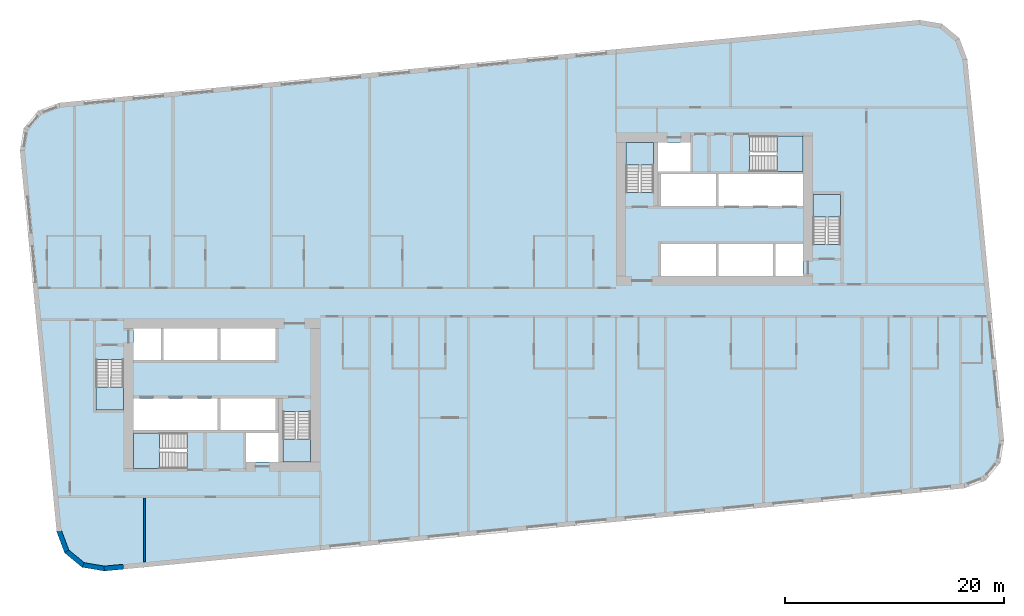
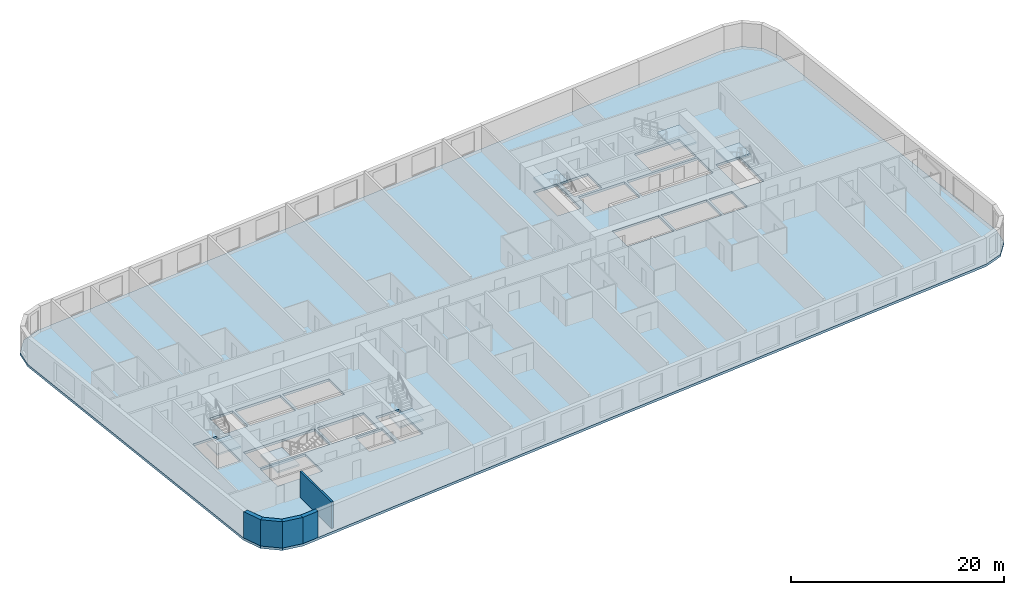
# One storey, part 1 of 12: 7 slabs, 5 walls, 6 elements without a shape of their own.
"""IFC4 building model written with IfcOpenShell, lengths in metres."""

import ifcopenshell
import ifcopenshell.guid

model = None  # the IFC model being written
_history = None  # IfcOwnerHistory: only IFC2X3 demands one
_inside = {}  # id of a spatial element -> (the spatial element, [elements in it])
_under = {}  # id of a project, library or spatial element -> (it, [spatial elements below it])
_declared = {}  # id of a project -> (the project, [libraries it declares])
_typed = {}  # id of a type object -> (the type object, [elements of that type])
_made_of = {}  # id of a material, layer set ... -> (it, [elements and type objects made of it])


def new_model(schema):
    """Start an empty IFC model of exactly this schema.

    Asked for "IFC4X3", IfcOpenShell would pick the latest addendum, in which some entities
    have other attributes; the version numbers below select the first issue.
    IFC2X3 requires an IfcOwnerHistory on every rooted entity: one is made here for all.
    """
    global model, _history
    if schema == "IFC4X3":
        model = ifcopenshell.file(schema_version=(4, 3, 0, 0))
    else:
        model = ifcopenshell.file(schema=schema)
    _inside.clear()
    _under.clear()
    _declared.clear()
    _typed.clear()
    _made_of.clear()
    _history = None
    if model.schema == "IFC2X3":
        org = make("IfcOrganization", Name="unknown")
        user = make(
            "IfcPersonAndOrganization",
            ThePerson=make("IfcPerson", FamilyName="unknown"),
            TheOrganization=org,
        )
        app = make(
            "IfcApplication",
            ApplicationDeveloper=org,
            Version="unknown",
            ApplicationFullName="unknown",
            ApplicationIdentifier="unknown",
        )
        _history = make(
            "IfcOwnerHistory",
            OwningUser=user,
            OwningApplication=app,
            ChangeAction="ADDED",
            CreationDate=0,
        )
    return model


def make(cls, **values):
    """One entity of the class cls with the attributes given. An attribute that is None is left unset."""
    return model.create_entity(
        cls, **{name: value for name, value in values.items() if value is not None}
    )


def rooted(cls, **values):
    """An entity with a GlobalId (a new one), such as an element, a storey or a relation."""
    return make(cls, GlobalId=ifcopenshell.guid.new(), OwnerHistory=_history, **values)


def si_unit(unit_type, name, prefix=None):
    """IfcSIUnit, for example si_unit("LENGTHUNIT", "METRE", prefix="MILLI")."""
    return make("IfcSIUnit", UnitType=unit_type, Prefix=prefix, Name=name)


def assignment(units):
    """IfcUnitAssignment: the units of a project."""
    return None if units is None else make("IfcUnitAssignment", Units=units)


def point(xyz):
    """IfcCartesianPoint."""
    return None if xyz is None else make("IfcCartesianPoint", Coordinates=xyz)


def direction(xyz):
    """IfcDirection."""
    return None if xyz is None else make("IfcDirection", DirectionRatios=xyz)


def frame(location, z_axis=None, x_axis=None):
    """IfcAxis2Placement3D, a coordinate frame: its origin and axes. An axis left out is left unset."""
    return make(
        "IfcAxis2Placement3D",
        Location=point(location),
        Axis=direction(z_axis),
        RefDirection=direction(x_axis),
    )


def frame_2d(location, x_axis=None):
    """IfcAxis2Placement2D, a coordinate frame in the plane: its origin and x axis."""
    return make(
        "IfcAxis2Placement2D", Location=point(location), RefDirection=direction(x_axis)
    )


def origin():
    """The frame at (0, 0, 0) with its axes left unset."""
    return frame((0.0, 0.0, 0.0))


def place(relative_to, where):
    """IfcLocalPlacement: puts the frame where relative to a parent placement (None: the world)."""
    return make(
        "IfcLocalPlacement", PlacementRelTo=relative_to, RelativePlacement=where
    )


def context(
    kind, dimensions, precision=None, world=None, true_north=None, identifier=None
):
    """IfcGeometricRepresentationContext, for example the 3D "Model" context."""
    return make(
        "IfcGeometricRepresentationContext",
        ContextIdentifier=identifier,
        ContextType=kind,
        CoordinateSpaceDimension=dimensions,
        Precision=precision,
        WorldCoordinateSystem=world,
        TrueNorth=true_north,
    )


def subcontext(parent, identifier, kind, view, scale=None):
    """IfcGeometricRepresentationSubContext, for example "Body" below "Model"."""
    return make(
        "IfcGeometricRepresentationSubContext",
        ContextIdentifier=identifier,
        ContextType=kind,
        ParentContext=parent,
        TargetScale=scale,
        TargetView=view,
    )


def project(units=None, contexts=None):
    """IfcProject with its units and contexts."""
    return rooted(
        "IfcProject",
        Name="project",
        RepresentationContexts=contexts,
        UnitsInContext=assignment(units),
    )


def spatial(cls, under=None, at=None, **own):
    """A site, building, storey or space (cls), placed at a placement, below another one or the project."""
    s = rooted(cls, ObjectPlacement=at, **own)
    if under is not None:
        _under.setdefault(under.id(), (under, []))[1].append(s)
    return s


def polyline(points):
    """IfcPolyline through the points."""
    return make("IfcPolyline", Points=[point(p) for p in points])


def profile(cls, at=None, kind="AREA", **sizes):
    """A parametric profile (cls). Its sizes go by their IFC names, for example OverallWidth=200.0."""
    return make(cls, ProfileType=kind, Position=at, **sizes)


def rectangle(**sizes):
    """IfcRectangleProfileDef."""
    return profile("IfcRectangleProfileDef", **sizes)


def outline(outer, holes=None, kind="AREA"):
    """IfcArbitraryClosedProfileDef: a profile drawn as a closed curve; with holes, ...WithVoids."""
    if holes is None:
        return make("IfcArbitraryClosedProfileDef", ProfileType=kind, OuterCurve=outer)
    return make(
        "IfcArbitraryProfileDefWithVoids",
        ProfileType=kind,
        OuterCurve=outer,
        InnerCurves=holes,
    )


def extrude(swept, where, along, depth):
    """IfcExtrudedAreaSolid: the profile swept, set in the frame where, extruded along a direction by depth."""
    return make(
        "IfcExtrudedAreaSolid",
        SweptArea=swept,
        Position=where,
        ExtrudedDirection=direction(along),
        Depth=depth,
    )


def shape(context_of_items, identifier, shape_type, items):
    """IfcShapeRepresentation: the items that make up one representation, for example the "Body"."""
    return make(
        "IfcShapeRepresentation",
        ContextOfItems=context_of_items,
        RepresentationIdentifier=identifier,
        RepresentationType=shape_type,
        Items=items,
    )


def material(Name=None, Category=None):
    """IfcMaterial."""
    return make("IfcMaterial", Name=Name, Category=Category)


def layer(
    of_material, thickness, ventilated=None, Name=None, Category=None, Priority=None
):
    """IfcMaterialLayer: one layer of a wall or slab, of a material (None: an air gap)."""
    return make(
        "IfcMaterialLayer",
        Material=of_material,
        LayerThickness=thickness,
        IsVentilated=ventilated,
        Name=Name,
        Category=Category,
        Priority=Priority,
    )


def layer_set(layers, Name=None):
    """IfcMaterialLayerSet."""
    return make("IfcMaterialLayerSet", MaterialLayers=layers, LayerSetName=Name)


def made_of(thing, what):
    """Note that an element or type object is made of a material, layer set ...; save() writes the relation."""
    if what is not None:
        _made_of.setdefault(what.id(), (what, []))[1].append(thing)
    return thing


def type_object(cls, material=None, **own):
    """A type object (cls), such as IfcWallType, which elements share."""
    return made_of(rooted(cls, **own), material)


def element(
    cls,
    number,
    at=None,
    inside=None,
    cuts=None,
    type_object=None,
    material=None,
    context=None,
    identifier="Body",
    shape_type=None,
    held_by="IfcProductDefinitionShape",
    body=None,
    shapes=None,
    **own,
):
    """One element of the class cls, such as IfcWall. Its Tag is "e" and its number.

    at: its placement. inside: the storey or other place that contains it. cuts: it is an
    opening in that element (IfcRelVoidsElement). A single representation is given by context,
    identifier, shape_type and body (its items); several are given by shapes. held_by: the class
    of the entity that holds the representations. save() writes the other relations.
    """
    e = rooted(cls, Tag="e%d" % number, ObjectPlacement=at, **own)
    if body is not None:
        shapes = [shape(context, identifier, shape_type, body)]
    if shapes is not None:
        e.Representation = make(held_by, Representations=shapes)
    if inside is not None:
        _inside.setdefault(inside.id(), (inside, []))[1].append(e)
    if cuts is not None:
        rooted(
            "IfcRelVoidsElement", RelatingBuildingElement=cuts, RelatedOpeningElement=e
        )
    if type_object is not None:
        _typed.setdefault(type_object.id(), (type_object, []))[1].append(e)
    return made_of(e, material)


def aggregate(whole, parts):
    """IfcRelAggregates: a whole, such as a stair, and the parts it consists of."""
    return rooted("IfcRelAggregates", RelatingObject=whole, RelatedObjects=parts)


def save(model, path):
    """Write the relations noted so far, then the file.

    IfcRelAggregates (storeys below a building ...), IfcRelContainedInSpatialStructure (elements
    in a storey), IfcRelDefinesByType, IfcRelAssociatesMaterial and IfcRelDeclares: one each for
    every whole, place, type object, material and project.
    """
    for whole, parts in _under.values():
        aggregate(whole, parts)
    for where, things in _inside.values():
        rooted(
            "IfcRelContainedInSpatialStructure",
            RelatedElements=things,
            RelatingStructure=where,
        )
    for kind, things in _typed.values():
        rooted("IfcRelDefinesByType", RelatedObjects=things, RelatingType=kind)
    for what, things in _made_of.values():
        rooted("IfcRelAssociatesMaterial", RelatedObjects=things, RelatingMaterial=what)
    for by, libraries in _declared.values():
        rooted("IfcRelDeclares", RelatingContext=by, RelatedDefinitions=libraries)
    model.write(path)


model = new_model("IFC4")

# Units and contexts
model_context = context("Model", 3, precision=1e-05, world=origin(), true_north=direction((0.0, 1.0)))
body_context = subcontext(model_context, "Body", "Model", "MODEL_VIEW")
ifc_project = project(units=[si_unit("LENGTHUNIT", "METRE"), si_unit("AREAUNIT", "SQUARE_METRE"), si_unit("VOLUMEUNIT", "CUBIC_METRE"), si_unit("PLANEANGLEUNIT", "RADIAN"), si_unit("MASSUNIT", "GRAM", prefix="KILO")], contexts=[model_context])

# Site, building, storey
site_placement = place(None, origin())
site = spatial("IfcSite", under=ifc_project, at=site_placement, CompositionType="ELEMENT")
building_placement = place(site_placement, origin())
building = spatial("IfcBuilding", under=site, at=building_placement, Name="Kajstack Hotel Tower", CompositionType="ELEMENT")
storey_placement = place(building_placement, frame((0.0, 0.0, 117.39990234375)))
storey = spatial("IfcBuildingStorey", under=building, at=storey_placement, Name="L25", CompositionType="ELEMENT", Elevation=117.39990234375)

# Slab
ifc_material_1 = material(Name="Concrete C40/50", Category="concrete")
ifc_layer_1 = layer(ifc_material_1, 0.280029296875)
ifc_layer_set_1 = layer_set([ifc_layer_1], Name="RC slab 280 C40/50 guest")
slab_type_1 = type_object("IfcSlabType", Name="RC slab 280 C40/50 guest", PredefinedType="FLOOR", material=ifc_layer_set_1)
slab_1_placement = place(storey_placement, frame((0.0, 0.0, -0.27978515625)))
element("IfcSlab", 1, at=slab_1_placement, inside=storey, type_object=slab_type_1, Name="S-slab-L25", PredefinedType="FLOOR", context=body_context, shape_type="SweptSolid", body=[
    extrude(outline(polyline([(-40.97705078125, 13.85009765625), (-37.622314453125, -20.98876953125), (-36.897216796875, -22.92822265625), (-35.299560546875, -24.2451171875), (-33.257568359375, -24.5869140625), (45.37890625, -17.01513671875), (47.318359375, -16.2900390625), (48.63525390625, -14.6923828125), (48.97705078125, -12.650146484375), (45.622314453125, 22.188720703125), (44.897216796875, 24.128173828125), (43.299560546875, 25.4453125), (41.257568359375, 25.786865234375), (-37.37890625, 18.215087890625), (-39.318359375, 17.489990234375), (-40.63525390625, 15.892333984375), (-40.97705078125, 13.85009765625)]), holes=[polyline([(-30.60009765625, -11.699951171875), (-30.60009765625, -8.800048828125), (-22.89990234375, -8.800048828125), (-22.89990234375, -11.699951171875), (-30.60009765625, -11.699951171875)]), polyline([(-22.64990234375, -11.699951171875), (-22.64990234375, -8.800048828125), (-17.60009765625, -8.800048828125), (-17.60009765625, -11.699951171875), (-22.64990234375, -11.699951171875)]), polyline([(-27.85009765625, -5.300048828125), (-27.85009765625, -2.39990234375), (-22.89990234375, -2.39990234375), (-22.89990234375, -5.300048828125), (-27.85009765625, -5.300048828125)]), polyline([(-22.64990234375, -5.300048828125), (-22.64990234375, -2.39990234375), (-17.60009765625, -2.39990234375), (-17.60009765625, -5.300048828125), (-22.64990234375, -5.300048828125)]), polyline([(-20.300048828125, -14.60009765625), (-17.35009765625, -14.60009765625), (-17.35009765625, -11.949951171875), (-20.300048828125, -11.949951171875), (-20.300048828125, -14.60009765625)]), polyline([(-30.60009765625, -5.300048828125), (-28.10009765625, -5.300048828125), (-28.10009765625, -2.39990234375), (-30.60009765625, -2.39990234375), (-30.60009765625, -5.300048828125)]), polyline([(22.89990234375, 8.800048828125), (22.89990234375, 11.699951171875), (30.60009765625, 11.699951171875), (30.60009765625, 8.800048828125), (22.89990234375, 8.800048828125)]), polyline([(17.60009765625, 8.800048828125), (17.60009765625, 11.699951171875), (22.64990234375, 11.699951171875), (22.64990234375, 8.800048828125), (17.60009765625, 8.800048828125)]), polyline([(22.89990234375, 2.39990234375), (22.89990234375, 5.300048828125), (27.85009765625, 5.300048828125), (27.85009765625, 2.39990234375), (22.89990234375, 2.39990234375)]), polyline([(17.60009765625, 2.39990234375), (17.60009765625, 5.300048828125), (22.64990234375, 5.300048828125), (22.64990234375, 2.39990234375), (17.60009765625, 2.39990234375)]), polyline([(20.300048828125, 14.60009765625), (17.35009765625, 14.60009765625), (17.35009765625, 11.949951171875), (20.300048828125, 11.949951171875), (20.300048828125, 14.60009765625)]), polyline([(30.60009765625, 5.300048828125), (28.10009765625, 5.300048828125), (28.10009765625, 2.39990234375), (30.60009765625, 2.39990234375), (30.60009765625, 5.300048828125)]), polyline([(-34.050048828125, -9.85009765625), (-31.5, -9.85009765625), (-31.5, -5.25), (-34.050048828125, -5.25), (-34.050048828125, -9.85009765625)]), polyline([(-16.949951171875, -14.60009765625), (-14.39990234375, -14.60009765625), (-14.39990234375, -10.0), (-16.949951171875, -10.0), (-16.949951171875, -14.60009765625)]), polyline([(-30.60009765625, -15.199951171875), (-25.699951171875, -15.199951171875), (-25.699951171875, -11.949951171875), (-30.60009765625, -11.949951171875), (-30.60009765625, -15.199951171875)]), polyline([(34.050048828125, 9.85009765625), (31.5, 9.85009765625), (31.5, 5.25), (34.050048828125, 5.25), (34.050048828125, 9.85009765625)]), polyline([(16.949951171875, 14.60009765625), (14.39990234375, 14.60009765625), (14.39990234375, 10.0), (16.949951171875, 10.0), (16.949951171875, 14.60009765625)]), polyline([(30.60009765625, 15.199951171875), (25.699951171875, 15.199951171875), (25.699951171875, 11.949951171875), (30.60009765625, 11.949951171875), (30.60009765625, 15.199951171875)])]), origin(), (0.0, 0.0, 1.0), 0.27978515625),
])

# Stair, slab
stair_type_1 = type_object("IfcStairType", Name="Exit stair 1200", PredefinedType="HALF_TURN_STAIR", material=ifc_material_1)
stair_1_placement = place(storey_placement, origin())
stair_1 = element("IfcStair", 2, at=stair_1_placement, inside=storey, type_object=stair_type_1, Name="L25 stair W1", PredefinedType="HALF_TURN_STAIR")
ifc_layer_2 = layer(ifc_material_1, 0.199951171875)
ifc_layer_set_2 = layer_set([ifc_layer_2], Name="Stair landing 200")
slab_type_2 = type_object("IfcSlabType", Name="Stair landing 200", PredefinedType="LANDING", material=ifc_layer_set_2)
slab_2_placement = place(storey_placement, frame((0.0, 0.0, 1.4501953125)))
slab_2 = element("IfcSlab", 3, at=slab_2_placement, type_object=slab_type_2, Name="W1 landing 1", PredefinedType="LANDING", context=body_context, shape_type="SweptSolid", body=[
    extrude(outline(polyline([(-34.050048828125, -7.77001953125), (-34.050048828125, -9.85009765625), (-31.5, -9.85009765625), (-31.5, -7.77001953125), (-34.050048828125, -7.77001953125)])), origin(), (0.0, 0.0, 1.0), 0.199951171875),
])
aggregate(stair_1, [slab_2])

stair_2_placement = place(storey_placement, origin())
stair_2 = element("IfcStair", 4, at=stair_2_placement, inside=storey, type_object=stair_type_1, Name="L25 stair W2", PredefinedType="HALF_TURN_STAIR")
slab_3_placement = place(storey_placement, frame((0.0, 0.0, 1.4501953125)))
slab_3 = element("IfcSlab", 5, at=slab_3_placement, type_object=slab_type_2, Name="W2 landing 1", PredefinedType="LANDING", context=body_context, shape_type="SweptSolid", body=[
    extrude(outline(polyline([(-16.949951171875, -12.52001953125), (-16.949951171875, -14.60009765625), (-14.39990234375, -14.60009765625), (-14.39990234375, -12.52001953125), (-16.949951171875, -12.52001953125)])), origin(), (0.0, 0.0, 1.0), 0.199951171875),
])
aggregate(stair_2, [slab_3])

stair_type_2 = type_object("IfcStairType", Name="Exit stair 1500", PredefinedType="HALF_TURN_STAIR", material=ifc_material_1)
stair_3_placement = place(storey_placement, origin())
stair_3 = element("IfcStair", 6, at=stair_3_placement, inside=storey, type_object=stair_type_2, Name="L25 stair W3", PredefinedType="HALF_TURN_STAIR")
slab_4_placement = place(storey_placement, frame((0.0, 0.0, 1.4501953125)))
slab_4 = element("IfcSlab", 7, at=slab_4_placement, type_object=slab_type_2, Name="W3 landing 1", PredefinedType="LANDING", context=body_context, shape_type="SweptSolid", body=[
    extrude(outline(polyline([(-28.219970703125, -11.949951171875), (-30.60009765625, -11.949951171875), (-30.60009765625, -15.199951171875), (-28.219970703125, -15.199951171875), (-28.219970703125, -11.949951171875)])), origin(), (0.0, 0.0, 1.0), 0.199951171875),
])
aggregate(stair_3, [slab_4])

stair_4_placement = place(storey_placement, origin())
stair_4 = element("IfcStair", 8, at=stair_4_placement, inside=storey, type_object=stair_type_1, Name="L25 stair E1", PredefinedType="HALF_TURN_STAIR")
slab_5_placement = place(storey_placement, frame((0.0, 0.0, 1.4501953125)))
slab_5 = element("IfcSlab", 9, at=slab_5_placement, type_object=slab_type_2, Name="E1 landing 1", PredefinedType="LANDING", context=body_context, shape_type="SweptSolid", body=[
    extrude(outline(polyline([(34.050048828125, 7.77001953125), (34.050048828125, 9.85009765625), (31.5, 9.85009765625), (31.5, 7.77001953125), (34.050048828125, 7.77001953125)])), origin(), (0.0, 0.0, 1.0), 0.199951171875),
])
aggregate(stair_4, [slab_5])

stair_5_placement = place(storey_placement, origin())
stair_5 = element("IfcStair", 10, at=stair_5_placement, inside=storey, type_object=stair_type_1, Name="L25 stair E2", PredefinedType="HALF_TURN_STAIR")
slab_6_placement = place(storey_placement, frame((0.0, 0.0, 1.4501953125)))
slab_6 = element("IfcSlab", 11, at=slab_6_placement, type_object=slab_type_2, Name="E2 landing 1", PredefinedType="LANDING", context=body_context, shape_type="SweptSolid", body=[
    extrude(outline(polyline([(16.949951171875, 12.52001953125), (16.949951171875, 14.60009765625), (14.39990234375, 14.60009765625), (14.39990234375, 12.52001953125), (16.949951171875, 12.52001953125)])), origin(), (0.0, 0.0, 1.0), 0.199951171875),
])
aggregate(stair_5, [slab_6])

stair_6_placement = place(storey_placement, origin())
stair_6 = element("IfcStair", 12, at=stair_6_placement, inside=storey, type_object=stair_type_2, Name="L25 stair E3", PredefinedType="HALF_TURN_STAIR")
slab_7_placement = place(storey_placement, frame((0.0, 0.0, 1.4501953125)))
slab_7 = element("IfcSlab", 13, at=slab_7_placement, type_object=slab_type_2, Name="E3 landing 1", PredefinedType="LANDING", context=body_context, shape_type="SweptSolid", body=[
    extrude(outline(polyline([(28.219970703125, 11.949951171875), (30.60009765625, 11.949951171875), (30.60009765625, 15.199951171875), (28.219970703125, 15.199951171875), (28.219970703125, 11.949951171875)])), origin(), (0.0, 0.0, 1.0), 0.199951171875),
])
aggregate(stair_6, [slab_7])

# Walls
ifc_material_2 = material(Name="Terracotta-faced brick masonry", Category="masonry")
ifc_layer_3 = layer(ifc_material_2, 0.449951171875)
ifc_layer_set_3 = layer_set([ifc_layer_3], Name="EW-TERRA")
wall_type_1 = type_object("IfcWallType", Name="EW-TERRA", PredefinedType="SOLIDWALL", material=ifc_layer_set_3)
for number, where, z_axis, x_axis, name in (
    (14, (-37.41162109375, -20.909912109375, 0.0), (0.0, 0.0, 1.0), (0.350192909346, -0.936677599948, 0.0), "E-wall-L25-01-00"),
    (15, (-36.754150390625, -22.754638671875, 0.0), (0.0, 0.0, 1.0), (0.771651049663, -0.636046112757, 0.0), "E-wall-L25-02-00"),
):
    element("IfcWall", number, at=place(storey_placement, frame(where, z_axis=z_axis, x_axis=x_axis)), inside=storey, type_object=wall_type_1, Name=name, PredefinedType="SOLIDWALL", context=body_context, shape_type="SweptSolid", body=[
        extrude(outline(polyline([(0.0, -0.22509765625), (2.070556640625, -0.22509765625), (1.949951171875, 0.224853515625), (0.12060546875, 0.22509765625), (0.0, -0.22509765625)])), origin(), (0.0, 0.0, 1.0), 3.02001953125),
    ])
wall_1_placement = place(storey_placement, frame((-35.262451171875, -24.023193359375, 0.0), z_axis=(0.0, 0.0, 1.0), x_axis=(0.986278951104, -0.165087342366, 0.0)))
element("IfcWall", 16, at=wall_1_placement, inside=storey, type_object=wall_type_1, Name="E-wall-L25-03-00", PredefinedType="SOLIDWALL", context=body_context, shape_type="SweptSolid", body=[
    extrude(outline(polyline([(0.0, -0.22509765625), (2.070556640625, -0.22509765625), (1.949951171875, 0.22509765625), (0.12060546875, 0.224853515625), (0.0, -0.22509765625)])), origin(), (0.0, 0.0, 1.0), 3.02001953125),
])
wall_2_placement = place(storey_placement, frame((-33.279052734375, -24.363037109375, 0.0), z_axis=(0.0, 0.0, 1.0), x_axis=(0.995385439311, 0.095957423931, 0.0)))
element("IfcWall", 17, at=wall_2_placement, inside=storey, type_object=wall_type_1, Name="E-wall-L25-04-00", PredefinedType="SOLIDWALL", context=body_context, shape_type="SweptSolid", body=[
    extrude(rectangle(XDim=1.765625, YDim=0.449951171875, at=frame_2d((0.8828125, 0.0))), origin(), (0.0, 0.0, 1.0), 3.02001953125),
])
ifc_material_3 = material(Name="Gypsum board on steel studs, mineral wool", Category="steel")
ifc_layer_4 = layer(ifc_material_3, 0.199951171875)
ifc_layer_set_4 = layer_set([ifc_layer_4], Name="Service partition 200")
wall_type_2 = type_object("IfcWallType", Name="Service partition 200", PredefinedType="PARTITIONING", material=ifc_layer_set_4)
wall_3_placement = place(storey_placement, frame((-29.60009765625, -23.78369140625, 0.0), z_axis=(0.0, 0.0, 1.0), x_axis=(0.0, 1.0, 0.0)))
element("IfcWall", 18, at=wall_3_placement, inside=storey, type_object=wall_type_2, Name="Partition W SLP0", PredefinedType="PARTITIONING", context=body_context, shape_type="SweptSolid", body=[
    extrude(rectangle(XDim=5.8837890625, YDim=0.199951171875, at=frame_2d((2.94189453125, 0.0))), origin(), (0.0, 0.0, 1.0), 3.02001953125),
])

save(model, "model.ifc")
